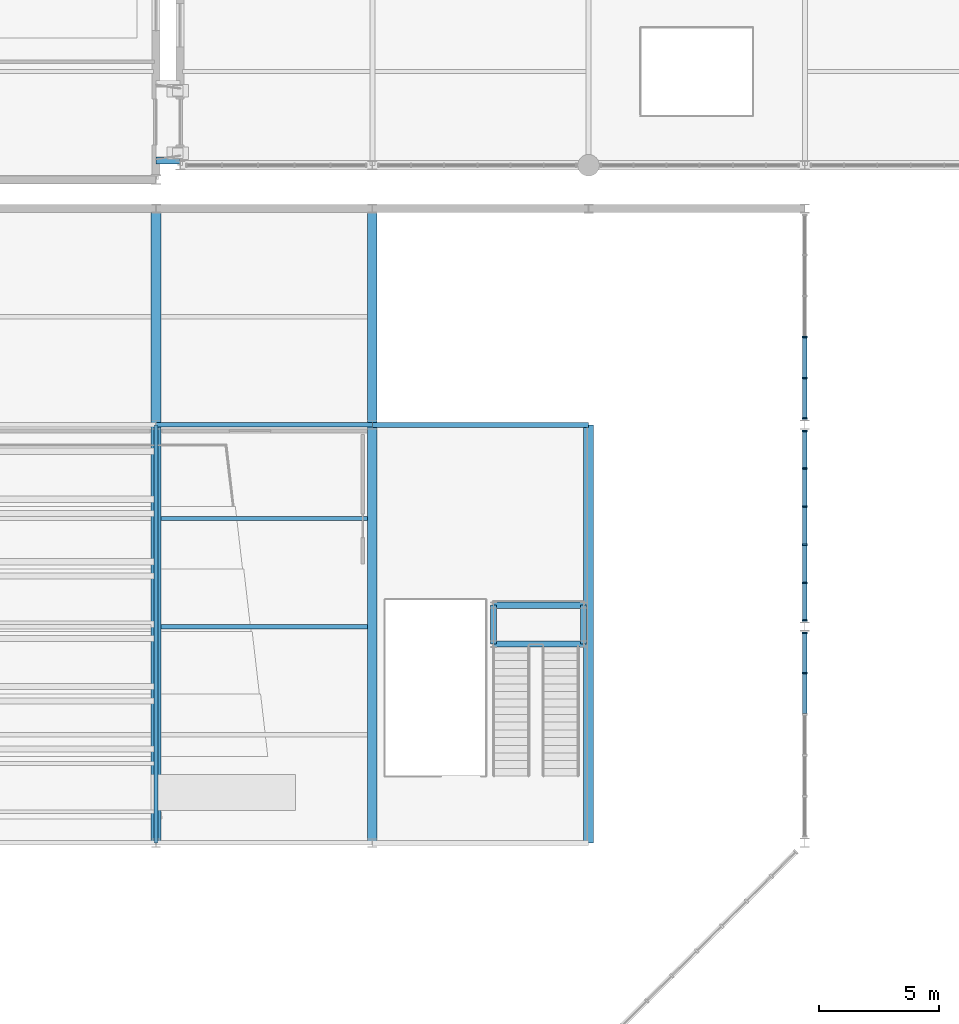
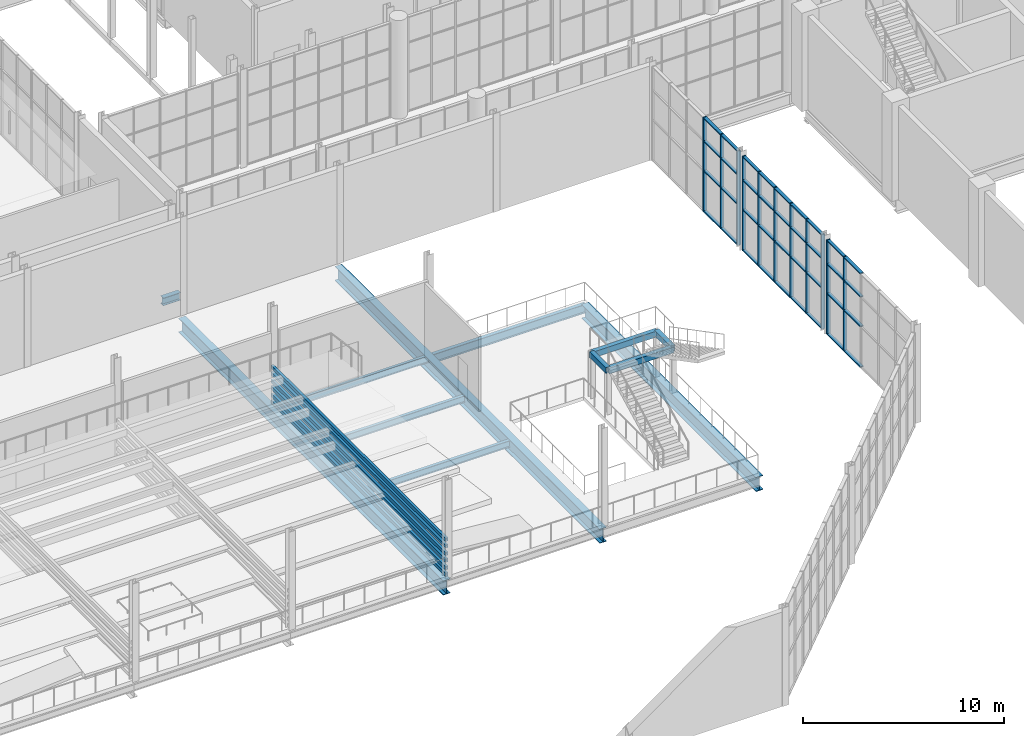
# One storey, part 32 of 159: 47 members, 18 beams, 3 elements without a shape of their own.
"""IFC4 building model written with IfcOpenShell, lengths in metres."""

from ifc_helpers import new_model, si_unit, direction, frame, origin, origin_2d, place, context, subcontext, project, spatial, rectangle, hollow_rectangle, i_section, extrude, material, layer, layer_set, material_profile, profile_set, type_object, element, aggregate, save


model = new_model("IFC4")

# Units and contexts
model_context = context("Model", 3, precision=1e-05, world=origin(), true_north=direction((0.0, 1.0)))
body_context = subcontext(model_context, "Body", "Model", "MODEL_VIEW")
ifc_project = project(units=[si_unit("LENGTHUNIT", "METRE"), si_unit("AREAUNIT", "SQUARE_METRE"), si_unit("VOLUMEUNIT", "CUBIC_METRE"), si_unit("PLANEANGLEUNIT", "RADIAN"), si_unit("MASSUNIT", "GRAM", prefix="KILO")], contexts=[model_context])

# Site, building, storey
site_placement = place(None, origin())
site = spatial("IfcSite", under=ifc_project, at=site_placement, CompositionType="ELEMENT")
building_placement = place(site_placement, origin())
building = spatial("IfcBuilding", under=site, at=building_placement, Name="Cazmaro Siding Exhibition Halls", CompositionType="ELEMENT")
storey_placement = place(building_placement, frame((0.0, 0.0, 6.0)))
storey = spatial("IfcBuildingStorey", under=building, at=storey_placement, Name="L01", CompositionType="ELEMENT", Elevation=6.0)

# Beams
ifc_material_1 = material(Name="Steel ASTM A992 Grade 50", Category="steel")
ifc_material_profile_1 = material_profile(ifc_material_1, i_section(OverallWidth=0.2099609375, OverallDepth=0.535888671875, WebThickness=0.010986328125, FlangeThickness=0.01708984375, at=origin_2d()), Name="W21X68")
ifc_profile_set_1 = profile_set([ifc_material_profile_1], Name="Steel ASTM A992 Grade 50")
beam_type_1 = type_object("IfcBeamType", Name="B-02", PredefinedType="BEAM", material=ifc_profile_set_1)
beam_1_placement = place(storey_placement, frame((45.0, 44.39990234375, -0.488037109375), z_axis=(1.0, 0.0, 0.0), x_axis=(0.0, 1.0, 0.0)))
element("IfcBeam", 1, at=beam_1_placement, inside=storey, type_object=beam_type_1, Name="Beam B-02 BM-1780", PredefinedType="BEAM", context=body_context, shape_type="SweptSolid", body=[
    extrude(i_section(OverallWidth=0.2099609375, OverallDepth=0.535888671875, WebThickness=0.010986328125, FlangeThickness=0.01708984375, at=origin_2d()), origin(), (0.0, 0.0, 1.0), 9.0),
])
ifc_material_2 = material(Name="Steel ASTM A992 Grade 50", Category="steel")
ifc_material_profile_2 = material_profile(ifc_material_2, i_section(OverallWidth=0.279052734375, OverallDepth=0.4619140625, WebThickness=0.010986328125, FlangeThickness=0.01708984375, at=origin_2d()), Name="W18X76")
ifc_profile_set_2 = profile_set([ifc_material_profile_2], Name="Steel ASTM A992 Grade 50")
beam_type_2 = type_object("IfcBeamType", Name="B-03", PredefinedType="BEAM", material=ifc_profile_set_2)
beam_2_placement = place(storey_placement, frame((36.0, 55.39990234375, -0.450927734375), z_axis=(1.0, 0.0, 0.0), x_axis=(0.0, 1.0, 0.0)))
element("IfcBeam", 2, at=beam_2_placement, inside=storey, type_object=beam_type_2, Name="Beam B-03 BM-2530", PredefinedType="BEAM", context=body_context, shape_type="SweptSolid", body=[
    extrude(i_section(OverallWidth=0.279052734375, OverallDepth=0.4619140625, WebThickness=0.010986328125, FlangeThickness=0.01708984375, at=origin_2d()), origin(), (0.0, 0.0, 1.0), 1.0),
])
ifc_material_3 = material(Name="Steel ASTM A500 Grade C", Category="steel")
ifc_material_profile_3 = material_profile(ifc_material_3, hollow_rectangle(XDim=0.25390625, YDim=0.35595703125, WallThickness=0.014892578125, at=origin_2d()), Name="HSS14X10X5/8")
ifc_profile_set_3 = profile_set([ifc_material_profile_3], Name="Steel ASTM A500 Grade C")
beam_type_3 = type_object("IfcBeamType", Name="B-06", PredefinedType="BEAM", material=ifc_profile_set_3)
for number, where, z_axis, x_axis, name in (
    (3, (50.050048828125, 35.27001953125, 2.6220703125), (1.0, 0.0, 0.0), (0.0, 1.0, 0.0), "Beam B-06 BM-2494"),
    (4, (50.050048828125, 36.889892578125, 2.6220703125), (1.0, 0.0, 0.0), (0.0, 1.0, 0.0), "Beam B-06 BM-2495"),
):
    element("IfcBeam", number, at=place(storey_placement, frame(where, z_axis=z_axis, x_axis=x_axis)), inside=storey, type_object=beam_type_3, Name=name, PredefinedType="BEAM", context=body_context, shape_type="SweptSolid", body=[
        extrude(hollow_rectangle(XDim=0.25390625, YDim=0.35595703125, WallThickness=0.014892578125, at=origin_2d()), origin(), (0.0, 0.0, 1.0), 3.739990234375),
    ])
for number, where, z_axis, x_axis, name in (
    (5, (50.050048828125, 35.27001953125, 2.6220703125), (0.0, 1.0, 0.0), (-1.0, 0.0, 0.0), "Beam B-06 BM-2496"),
    (6, (53.7900390625, 35.27001953125, 2.6220703125), (0.0, 1.0, 0.0), (-1.0, 0.0, 0.0), "Beam B-06 BM-2497"),
):
    element("IfcBeam", number, at=place(storey_placement, frame(where, z_axis=z_axis, x_axis=x_axis)), inside=storey, type_object=beam_type_3, Name=name, PredefinedType="BEAM", context=body_context, shape_type="SweptSolid", body=[
        extrude(hollow_rectangle(XDim=0.25390625, YDim=0.35595703125, WallThickness=0.014892578125, at=origin_2d()), origin(), (0.0, 0.0, 1.0), 1.619873046875),
    ])

# Curtain wall, members
ifc_material_4 = material(Name="Anodized Bronze Aluminum and Solar-Control Low-E Glazing", Category="aluminium")
ifc_layer = layer(ifc_material_4, 0.199951171875)
ifc_layer_set = layer_set([ifc_layer], Name="Anodized Bronze Aluminum and Solar-Control Low-E Glazing")
curtain_wall_type = type_object("IfcCurtainWallType", Name="CWS-02", PredefinedType="USERDEFINED", material=ifc_layer_set)
curtain_wall_1_placement = place(storey_placement, origin())
curtain_wall_1 = element("IfcCurtainWall", 7, at=curtain_wall_1_placement, inside=storey, type_object=curtain_wall_type, Name="Glazed Curtain Wall CWS-02 CW-217", ObjectType="GLAZED CURTAIN WALL", PredefinedType="USERDEFINED")
ifc_material_5 = material(Name="Anodized Bronze Extruded Aluminum", Category="aluminium")
ifc_material_profile_4 = material_profile(ifc_material_5, rectangle(XDim=0.199951171875, YDim=0.06494140625, at=origin_2d()), Name="CWM-02")
ifc_profile_set_4 = profile_set([ifc_material_profile_4], Name="Anodized Bronze Extruded Aluminum")
member_type_1 = type_object("IfcMemberType", Name="CWM-02", PredefinedType="MULLION", material=ifc_profile_set_4)
member_1_placement = place(storey_placement, frame((63.0, 34.061279296875, 0.0), z_axis=(0.0, 0.0, 1.0), x_axis=(-1.0, 0.0, 0.0)))
member_1 = element("IfcMember", 8, at=member_1_placement, type_object=member_type_1, Name="CWS-02 mullion 5", PredefinedType="MULLION", context=body_context, shape_type="SweptSolid", body=[
    extrude(rectangle(XDim=0.199951171875, YDim=0.06494140625, at=origin_2d()), origin(), (0.0, 0.0, 1.0), 5.75),
])
member_2_placement = place(storey_placement, frame((63.0, 35.736572265625, 0.0), z_axis=(0.0, 0.0, 1.0), x_axis=(-1.0, 0.0, 0.0)))
member_2 = element("IfcMember", 9, at=member_2_placement, type_object=member_type_1, Name="CWS-02 mullion 6", PredefinedType="MULLION", context=body_context, shape_type="SweptSolid", body=[
    extrude(rectangle(XDim=0.199951171875, YDim=0.06494140625, at=origin_2d()), origin(), (0.0, 0.0, 1.0), 5.75),
])

curtain_wall_2_placement = place(storey_placement, origin())
curtain_wall_2 = element("IfcCurtainWall", 10, at=curtain_wall_2_placement, inside=storey, type_object=curtain_wall_type, Name="Glazed Curtain Wall CWS-02 CW-219", ObjectType="GLAZED CURTAIN WALL", PredefinedType="USERDEFINED")
member_3_placement = place(storey_placement, frame((63.0, 36.263427734375, 0.0), z_axis=(0.0, 0.0, 1.0), x_axis=(-1.0, 0.0, 0.0)))
member_3 = element("IfcMember", 11, at=member_3_placement, type_object=member_type_1, Name="CWS-02 mullion 1", PredefinedType="MULLION", context=body_context, shape_type="SweptSolid", body=[
    extrude(rectangle(XDim=0.199951171875, YDim=0.06494140625, at=origin_2d()), origin(), (0.0, 0.0, 1.0), 5.75),
])
member_4_placement = place(storey_placement, frame((63.0, 37.818603515625, 0.0), z_axis=(0.0, 0.0, 1.0), x_axis=(-1.0, 0.0, 0.0)))
member_4 = element("IfcMember", 12, at=member_4_placement, type_object=member_type_1, Name="CWS-02 mullion 2", PredefinedType="MULLION", context=body_context, shape_type="SweptSolid", body=[
    extrude(rectangle(XDim=0.199951171875, YDim=0.06494140625, at=origin_2d()), origin(), (0.0, 0.0, 1.0), 5.75),
])
member_5_placement = place(storey_placement, frame((63.0, 39.40625, 0.0), z_axis=(0.0, 0.0, 1.0), x_axis=(-1.0, 0.0, 0.0)))
member_5 = element("IfcMember", 13, at=member_5_placement, type_object=member_type_1, Name="CWS-02 mullion 3", PredefinedType="MULLION", context=body_context, shape_type="SweptSolid", body=[
    extrude(rectangle(XDim=0.199951171875, YDim=0.06494140625, at=origin_2d()), origin(), (0.0, 0.0, 1.0), 5.75),
])
member_6_placement = place(storey_placement, frame((63.0, 40.993896484375, 0.0), z_axis=(0.0, 0.0, 1.0), x_axis=(-1.0, 0.0, 0.0)))
member_6 = element("IfcMember", 14, at=member_6_placement, type_object=member_type_1, Name="CWS-02 mullion 4", PredefinedType="MULLION", context=body_context, shape_type="SweptSolid", body=[
    extrude(rectangle(XDim=0.199951171875, YDim=0.06494140625, at=origin_2d()), origin(), (0.0, 0.0, 1.0), 5.75),
])
member_7_placement = place(storey_placement, frame((63.0, 42.581298828125, 0.0), z_axis=(0.0, 0.0, 1.0), x_axis=(-1.0, 0.0, 0.0)))
member_7 = element("IfcMember", 15, at=member_7_placement, type_object=member_type_1, Name="CWS-02 mullion 5", PredefinedType="MULLION", context=body_context, shape_type="SweptSolid", body=[
    extrude(rectangle(XDim=0.199951171875, YDim=0.06494140625, at=origin_2d()), origin(), (0.0, 0.0, 1.0), 5.75),
])
member_8_placement = place(storey_placement, frame((63.0, 44.136474609375, 0.0), z_axis=(0.0, 0.0, 1.0), x_axis=(-1.0, 0.0, 0.0)))
member_8 = element("IfcMember", 16, at=member_8_placement, type_object=member_type_1, Name="CWS-02 mullion 6", PredefinedType="MULLION", context=body_context, shape_type="SweptSolid", body=[
    extrude(rectangle(XDim=0.199951171875, YDim=0.06494140625, at=origin_2d()), origin(), (0.0, 0.0, 1.0), 5.75),
])

curtain_wall_3_placement = place(storey_placement, origin())
curtain_wall_3 = element("IfcCurtainWall", 17, at=curtain_wall_3_placement, inside=storey, type_object=curtain_wall_type, Name="Glazed Curtain Wall CWS-02 CW-221", ObjectType="GLAZED CURTAIN WALL", PredefinedType="USERDEFINED")
member_9_placement = place(storey_placement, frame((63.0, 44.66357421875, 0.0), z_axis=(0.0, 0.0, 1.0), x_axis=(-1.0, 0.0, 0.0)))
member_9 = element("IfcMember", 18, at=member_9_placement, type_object=member_type_1, Name="CWS-02 mullion 1", PredefinedType="MULLION", context=body_context, shape_type="SweptSolid", body=[
    extrude(rectangle(XDim=0.199951171875, YDim=0.06494140625, at=origin_2d()), origin(), (0.0, 0.0, 1.0), 5.75),
])
member_10_placement = place(storey_placement, frame((63.0, 46.338623046875, 0.0), z_axis=(0.0, 0.0, 1.0), x_axis=(-1.0, 0.0, 0.0)))
member_10 = element("IfcMember", 19, at=member_10_placement, type_object=member_type_1, Name="CWS-02 mullion 2", PredefinedType="MULLION", context=body_context, shape_type="SweptSolid", body=[
    extrude(rectangle(XDim=0.199951171875, YDim=0.06494140625, at=origin_2d()), origin(), (0.0, 0.0, 1.0), 5.75),
])
member_11_placement = place(storey_placement, frame((63.0, 48.046142578125, 0.0), z_axis=(0.0, 0.0, 1.0), x_axis=(-1.0, 0.0, 0.0)))
member_11 = element("IfcMember", 20, at=member_11_placement, type_object=member_type_1, Name="CWS-02 mullion 3", PredefinedType="MULLION", context=body_context, shape_type="SweptSolid", body=[
    extrude(rectangle(XDim=0.199951171875, YDim=0.06494140625, at=origin_2d()), origin(), (0.0, 0.0, 1.0), 5.75),
])

# Member
ifc_material_6 = material(Name="Anodized Bronze Extruded Aluminum", Category="aluminium")
ifc_material_profile_5 = material_profile(ifc_material_6, rectangle(XDim=0.179931640625, YDim=0.06494140625, at=origin_2d()), Name="CWT-02")
ifc_profile_set_5 = profile_set([ifc_material_profile_5], Name="Anodized Bronze Extruded Aluminum")
member_type_2 = type_object("IfcMemberType", Name="CWT-02", PredefinedType="MULLION", material=ifc_profile_set_5)
member_12_placement = place(storey_placement, frame((63.0, 32.38623046875, 0.032470703125), z_axis=(0.0, 1.0, 0.0), x_axis=(-1.0, 0.0, 0.0)))
member_12 = element("IfcMember", 21, at=member_12_placement, type_object=member_type_2, Name="CWS-02 transom 4.1", ObjectType="TRANSOM", PredefinedType="USERDEFINED", context=body_context, shape_type="SweptSolid", body=[
    extrude(rectangle(XDim=0.179931640625, YDim=0.06494140625, at=origin_2d()), origin(), (0.0, 0.0, 1.0), 1.642578125),
])

member_13_placement = place(storey_placement, frame((63.0, 32.38623046875, 2.5), z_axis=(0.0, 1.0, 0.0), x_axis=(-1.0, 0.0, 0.0)))
member_13 = element("IfcMember", 22, at=member_13_placement, type_object=member_type_2, Name="CWS-02 transom 4.2", ObjectType="TRANSOM", PredefinedType="USERDEFINED", context=body_context, shape_type="SweptSolid", body=[
    extrude(rectangle(XDim=0.179931640625, YDim=0.06494140625, at=origin_2d()), origin(), (0.0, 0.0, 1.0), 1.642578125),
])

member_14_placement = place(storey_placement, frame((63.0, 32.38623046875, 4.300048828125), z_axis=(0.0, 1.0, 0.0), x_axis=(-1.0, 0.0, 0.0)))
member_14 = element("IfcMember", 23, at=member_14_placement, type_object=member_type_2, Name="CWS-02 transom 4.3", ObjectType="TRANSOM", PredefinedType="USERDEFINED", context=body_context, shape_type="SweptSolid", body=[
    extrude(rectangle(XDim=0.179931640625, YDim=0.06494140625, at=origin_2d()), origin(), (0.0, 0.0, 1.0), 1.642578125),
])

member_15_placement = place(storey_placement, frame((63.0, 32.38623046875, 5.717529296875), z_axis=(0.0, 1.0, 0.0), x_axis=(-1.0, 0.0, 0.0)))
member_15 = element("IfcMember", 24, at=member_15_placement, type_object=member_type_2, Name="CWS-02 transom 4.4", ObjectType="TRANSOM", PredefinedType="USERDEFINED", context=body_context, shape_type="SweptSolid", body=[
    extrude(rectangle(XDim=0.179931640625, YDim=0.06494140625, at=origin_2d()), origin(), (0.0, 0.0, 1.0), 1.642578125),
])

member_16_placement = place(storey_placement, frame((63.0, 34.093994140625, 0.032470703125), z_axis=(0.0, 1.0, 0.0), x_axis=(-1.0, 0.0, 0.0)))
member_16 = element("IfcMember", 25, at=member_16_placement, type_object=member_type_2, Name="CWS-02 transom 5.1", ObjectType="TRANSOM", PredefinedType="USERDEFINED", context=body_context, shape_type="SweptSolid", body=[
    extrude(rectangle(XDim=0.179931640625, YDim=0.06494140625, at=origin_2d()), origin(), (0.0, 0.0, 1.0), 1.610107421875),
])

member_17_placement = place(storey_placement, frame((63.0, 34.093994140625, 2.5), z_axis=(0.0, 1.0, 0.0), x_axis=(-1.0, 0.0, 0.0)))
member_17 = element("IfcMember", 26, at=member_17_placement, type_object=member_type_2, Name="CWS-02 transom 5.2", ObjectType="TRANSOM", PredefinedType="USERDEFINED", context=body_context, shape_type="SweptSolid", body=[
    extrude(rectangle(XDim=0.179931640625, YDim=0.06494140625, at=origin_2d()), origin(), (0.0, 0.0, 1.0), 1.610107421875),
])

member_18_placement = place(storey_placement, frame((63.0, 34.093994140625, 4.300048828125), z_axis=(0.0, 1.0, 0.0), x_axis=(-1.0, 0.0, 0.0)))
member_18 = element("IfcMember", 27, at=member_18_placement, type_object=member_type_2, Name="CWS-02 transom 5.3", ObjectType="TRANSOM", PredefinedType="USERDEFINED", context=body_context, shape_type="SweptSolid", body=[
    extrude(rectangle(XDim=0.179931640625, YDim=0.06494140625, at=origin_2d()), origin(), (0.0, 0.0, 1.0), 1.610107421875),
])

member_19_placement = place(storey_placement, frame((63.0, 34.093994140625, 5.717529296875), z_axis=(0.0, 1.0, 0.0), x_axis=(-1.0, 0.0, 0.0)))
member_19 = element("IfcMember", 28, at=member_19_placement, type_object=member_type_2, Name="CWS-02 transom 5.4", ObjectType="TRANSOM", PredefinedType="USERDEFINED", context=body_context, shape_type="SweptSolid", body=[
    extrude(rectangle(XDim=0.179931640625, YDim=0.06494140625, at=origin_2d()), origin(), (0.0, 0.0, 1.0), 1.610107421875),
])

aggregate(curtain_wall_1, [member_1, member_2, member_12, member_13, member_14, member_15, member_16, member_17, member_18, member_19])

member_20_placement = place(storey_placement, frame((63.0, 36.2958984375, 0.032470703125), z_axis=(0.0, 1.0, 0.0), x_axis=(-1.0, 0.0, 0.0)))
member_20 = element("IfcMember", 29, at=member_20_placement, type_object=member_type_2, Name="CWS-02 transom 1.1", ObjectType="TRANSOM", PredefinedType="USERDEFINED", context=body_context, shape_type="SweptSolid", body=[
    extrude(rectangle(XDim=0.179931640625, YDim=0.06494140625, at=origin_2d()), origin(), (0.0, 0.0, 1.0), 1.490234375),
])

member_21_placement = place(storey_placement, frame((63.0, 36.2958984375, 2.5), z_axis=(0.0, 1.0, 0.0), x_axis=(-1.0, 0.0, 0.0)))
member_21 = element("IfcMember", 30, at=member_21_placement, type_object=member_type_2, Name="CWS-02 transom 1.2", ObjectType="TRANSOM", PredefinedType="USERDEFINED", context=body_context, shape_type="SweptSolid", body=[
    extrude(rectangle(XDim=0.179931640625, YDim=0.06494140625, at=origin_2d()), origin(), (0.0, 0.0, 1.0), 1.490234375),
])

member_22_placement = place(storey_placement, frame((63.0, 36.2958984375, 4.300048828125), z_axis=(0.0, 1.0, 0.0), x_axis=(-1.0, 0.0, 0.0)))
member_22 = element("IfcMember", 31, at=member_22_placement, type_object=member_type_2, Name="CWS-02 transom 1.3", ObjectType="TRANSOM", PredefinedType="USERDEFINED", context=body_context, shape_type="SweptSolid", body=[
    extrude(rectangle(XDim=0.179931640625, YDim=0.06494140625, at=origin_2d()), origin(), (0.0, 0.0, 1.0), 1.490234375),
])

member_23_placement = place(storey_placement, frame((63.0, 36.2958984375, 5.717529296875), z_axis=(0.0, 1.0, 0.0), x_axis=(-1.0, 0.0, 0.0)))
member_23 = element("IfcMember", 32, at=member_23_placement, type_object=member_type_2, Name="CWS-02 transom 1.4", ObjectType="TRANSOM", PredefinedType="USERDEFINED", context=body_context, shape_type="SweptSolid", body=[
    extrude(rectangle(XDim=0.179931640625, YDim=0.06494140625, at=origin_2d()), origin(), (0.0, 0.0, 1.0), 1.490234375),
])

member_24_placement = place(storey_placement, frame((63.0, 37.85107421875, 0.032470703125), z_axis=(0.0, 1.0, 0.0), x_axis=(-1.0, 0.0, 0.0)))
member_24 = element("IfcMember", 33, at=member_24_placement, type_object=member_type_2, Name="CWS-02 transom 2.1", ObjectType="TRANSOM", PredefinedType="USERDEFINED", context=body_context, shape_type="SweptSolid", body=[
    extrude(rectangle(XDim=0.179931640625, YDim=0.06494140625, at=origin_2d()), origin(), (0.0, 0.0, 1.0), 1.522705078125),
])

member_25_placement = place(storey_placement, frame((63.0, 37.85107421875, 2.5), z_axis=(0.0, 1.0, 0.0), x_axis=(-1.0, 0.0, 0.0)))
member_25 = element("IfcMember", 34, at=member_25_placement, type_object=member_type_2, Name="CWS-02 transom 2.2", ObjectType="TRANSOM", PredefinedType="USERDEFINED", context=body_context, shape_type="SweptSolid", body=[
    extrude(rectangle(XDim=0.179931640625, YDim=0.06494140625, at=origin_2d()), origin(), (0.0, 0.0, 1.0), 1.522705078125),
])

member_26_placement = place(storey_placement, frame((63.0, 37.85107421875, 4.300048828125), z_axis=(0.0, 1.0, 0.0), x_axis=(-1.0, 0.0, 0.0)))
member_26 = element("IfcMember", 35, at=member_26_placement, type_object=member_type_2, Name="CWS-02 transom 2.3", ObjectType="TRANSOM", PredefinedType="USERDEFINED", context=body_context, shape_type="SweptSolid", body=[
    extrude(rectangle(XDim=0.179931640625, YDim=0.06494140625, at=origin_2d()), origin(), (0.0, 0.0, 1.0), 1.522705078125),
])

member_27_placement = place(storey_placement, frame((63.0, 37.85107421875, 5.717529296875), z_axis=(0.0, 1.0, 0.0), x_axis=(-1.0, 0.0, 0.0)))
member_27 = element("IfcMember", 36, at=member_27_placement, type_object=member_type_2, Name="CWS-02 transom 2.4", ObjectType="TRANSOM", PredefinedType="USERDEFINED", context=body_context, shape_type="SweptSolid", body=[
    extrude(rectangle(XDim=0.179931640625, YDim=0.06494140625, at=origin_2d()), origin(), (0.0, 0.0, 1.0), 1.522705078125),
])

member_28_placement = place(storey_placement, frame((63.0, 39.438720703125, 0.032470703125), z_axis=(0.0, 1.0, 0.0), x_axis=(-1.0, 0.0, 0.0)))
member_28 = element("IfcMember", 37, at=member_28_placement, type_object=member_type_2, Name="CWS-02 transom 3.1", ObjectType="TRANSOM", PredefinedType="USERDEFINED", context=body_context, shape_type="SweptSolid", body=[
    extrude(rectangle(XDim=0.179931640625, YDim=0.06494140625, at=origin_2d()), origin(), (0.0, 0.0, 1.0), 1.5224609375),
])

member_29_placement = place(storey_placement, frame((63.0, 39.438720703125, 2.5), z_axis=(0.0, 1.0, 0.0), x_axis=(-1.0, 0.0, 0.0)))
member_29 = element("IfcMember", 38, at=member_29_placement, type_object=member_type_2, Name="CWS-02 transom 3.2", ObjectType="TRANSOM", PredefinedType="USERDEFINED", context=body_context, shape_type="SweptSolid", body=[
    extrude(rectangle(XDim=0.179931640625, YDim=0.06494140625, at=origin_2d()), origin(), (0.0, 0.0, 1.0), 1.5224609375),
])

member_30_placement = place(storey_placement, frame((63.0, 39.438720703125, 4.300048828125), z_axis=(0.0, 1.0, 0.0), x_axis=(-1.0, 0.0, 0.0)))
member_30 = element("IfcMember", 39, at=member_30_placement, type_object=member_type_2, Name="CWS-02 transom 3.3", ObjectType="TRANSOM", PredefinedType="USERDEFINED", context=body_context, shape_type="SweptSolid", body=[
    extrude(rectangle(XDim=0.179931640625, YDim=0.06494140625, at=origin_2d()), origin(), (0.0, 0.0, 1.0), 1.5224609375),
])

member_31_placement = place(storey_placement, frame((63.0, 39.438720703125, 5.717529296875), z_axis=(0.0, 1.0, 0.0), x_axis=(-1.0, 0.0, 0.0)))
member_31 = element("IfcMember", 40, at=member_31_placement, type_object=member_type_2, Name="CWS-02 transom 3.4", ObjectType="TRANSOM", PredefinedType="USERDEFINED", context=body_context, shape_type="SweptSolid", body=[
    extrude(rectangle(XDim=0.179931640625, YDim=0.06494140625, at=origin_2d()), origin(), (0.0, 0.0, 1.0), 1.5224609375),
])

member_32_placement = place(storey_placement, frame((63.0, 41.0263671875, 0.032470703125), z_axis=(0.0, 1.0, 0.0), x_axis=(-1.0, 0.0, 0.0)))
member_32 = element("IfcMember", 41, at=member_32_placement, type_object=member_type_2, Name="CWS-02 transom 4.1", ObjectType="TRANSOM", PredefinedType="USERDEFINED", context=body_context, shape_type="SweptSolid", body=[
    extrude(rectangle(XDim=0.179931640625, YDim=0.06494140625, at=origin_2d()), origin(), (0.0, 0.0, 1.0), 1.5224609375),
])

member_33_placement = place(storey_placement, frame((63.0, 41.0263671875, 2.5), z_axis=(0.0, 1.0, 0.0), x_axis=(-1.0, 0.0, 0.0)))
member_33 = element("IfcMember", 42, at=member_33_placement, type_object=member_type_2, Name="CWS-02 transom 4.2", ObjectType="TRANSOM", PredefinedType="USERDEFINED", context=body_context, shape_type="SweptSolid", body=[
    extrude(rectangle(XDim=0.179931640625, YDim=0.06494140625, at=origin_2d()), origin(), (0.0, 0.0, 1.0), 1.5224609375),
])

member_34_placement = place(storey_placement, frame((63.0, 41.0263671875, 4.300048828125), z_axis=(0.0, 1.0, 0.0), x_axis=(-1.0, 0.0, 0.0)))
member_34 = element("IfcMember", 43, at=member_34_placement, type_object=member_type_2, Name="CWS-02 transom 4.3", ObjectType="TRANSOM", PredefinedType="USERDEFINED", context=body_context, shape_type="SweptSolid", body=[
    extrude(rectangle(XDim=0.179931640625, YDim=0.06494140625, at=origin_2d()), origin(), (0.0, 0.0, 1.0), 1.5224609375),
])

member_35_placement = place(storey_placement, frame((63.0, 41.0263671875, 5.717529296875), z_axis=(0.0, 1.0, 0.0), x_axis=(-1.0, 0.0, 0.0)))
member_35 = element("IfcMember", 44, at=member_35_placement, type_object=member_type_2, Name="CWS-02 transom 4.4", ObjectType="TRANSOM", PredefinedType="USERDEFINED", context=body_context, shape_type="SweptSolid", body=[
    extrude(rectangle(XDim=0.179931640625, YDim=0.06494140625, at=origin_2d()), origin(), (0.0, 0.0, 1.0), 1.5224609375),
])

member_36_placement = place(storey_placement, frame((63.0, 42.614013671875, 0.032470703125), z_axis=(0.0, 1.0, 0.0), x_axis=(-1.0, 0.0, 0.0)))
member_36 = element("IfcMember", 45, at=member_36_placement, type_object=member_type_2, Name="CWS-02 transom 5.1", ObjectType="TRANSOM", PredefinedType="USERDEFINED", context=body_context, shape_type="SweptSolid", body=[
    extrude(rectangle(XDim=0.179931640625, YDim=0.06494140625, at=origin_2d()), origin(), (0.0, 0.0, 1.0), 1.489990234375),
])

member_37_placement = place(storey_placement, frame((63.0, 42.614013671875, 2.5), z_axis=(0.0, 1.0, 0.0), x_axis=(-1.0, 0.0, 0.0)))
member_37 = element("IfcMember", 46, at=member_37_placement, type_object=member_type_2, Name="CWS-02 transom 5.2", ObjectType="TRANSOM", PredefinedType="USERDEFINED", context=body_context, shape_type="SweptSolid", body=[
    extrude(rectangle(XDim=0.179931640625, YDim=0.06494140625, at=origin_2d()), origin(), (0.0, 0.0, 1.0), 1.489990234375),
])

member_38_placement = place(storey_placement, frame((63.0, 42.614013671875, 4.300048828125), z_axis=(0.0, 1.0, 0.0), x_axis=(-1.0, 0.0, 0.0)))
member_38 = element("IfcMember", 47, at=member_38_placement, type_object=member_type_2, Name="CWS-02 transom 5.3", ObjectType="TRANSOM", PredefinedType="USERDEFINED", context=body_context, shape_type="SweptSolid", body=[
    extrude(rectangle(XDim=0.179931640625, YDim=0.06494140625, at=origin_2d()), origin(), (0.0, 0.0, 1.0), 1.489990234375),
])

member_39_placement = place(storey_placement, frame((63.0, 42.614013671875, 5.717529296875), z_axis=(0.0, 1.0, 0.0), x_axis=(-1.0, 0.0, 0.0)))
member_39 = element("IfcMember", 48, at=member_39_placement, type_object=member_type_2, Name="CWS-02 transom 5.4", ObjectType="TRANSOM", PredefinedType="USERDEFINED", context=body_context, shape_type="SweptSolid", body=[
    extrude(rectangle(XDim=0.179931640625, YDim=0.06494140625, at=origin_2d()), origin(), (0.0, 0.0, 1.0), 1.489990234375),
])

aggregate(curtain_wall_2, [member_3, member_4, member_5, member_6, member_7, member_8, member_20, member_21, member_22, member_23, member_24, member_25, member_26, member_27, member_28, member_29, member_30, member_31, member_32, member_33, member_34, member_35, member_36, member_37, member_38, member_39])

member_40_placement = place(storey_placement, frame((63.0, 44.696044921875, 0.032470703125), z_axis=(0.0, 1.0, 0.0), x_axis=(-1.0, 0.0, 0.0)))
member_40 = element("IfcMember", 49, at=member_40_placement, type_object=member_type_2, Name="CWS-02 transom 1.1", ObjectType="TRANSOM", PredefinedType="USERDEFINED", context=body_context, shape_type="SweptSolid", body=[
    extrude(rectangle(XDim=0.179931640625, YDim=0.06494140625, at=origin_2d()), origin(), (0.0, 0.0, 1.0), 1.610107421875),
])

member_41_placement = place(storey_placement, frame((63.0, 44.696044921875, 2.5), z_axis=(0.0, 1.0, 0.0), x_axis=(-1.0, 0.0, 0.0)))
member_41 = element("IfcMember", 50, at=member_41_placement, type_object=member_type_2, Name="CWS-02 transom 1.2", ObjectType="TRANSOM", PredefinedType="USERDEFINED", context=body_context, shape_type="SweptSolid", body=[
    extrude(rectangle(XDim=0.179931640625, YDim=0.06494140625, at=origin_2d()), origin(), (0.0, 0.0, 1.0), 1.610107421875),
])

member_42_placement = place(storey_placement, frame((63.0, 44.696044921875, 4.300048828125), z_axis=(0.0, 1.0, 0.0), x_axis=(-1.0, 0.0, 0.0)))
member_42 = element("IfcMember", 51, at=member_42_placement, type_object=member_type_2, Name="CWS-02 transom 1.3", ObjectType="TRANSOM", PredefinedType="USERDEFINED", context=body_context, shape_type="SweptSolid", body=[
    extrude(rectangle(XDim=0.179931640625, YDim=0.06494140625, at=origin_2d()), origin(), (0.0, 0.0, 1.0), 1.610107421875),
])

member_43_placement = place(storey_placement, frame((63.0, 44.696044921875, 5.717529296875), z_axis=(0.0, 1.0, 0.0), x_axis=(-1.0, 0.0, 0.0)))
member_43 = element("IfcMember", 52, at=member_43_placement, type_object=member_type_2, Name="CWS-02 transom 1.4", ObjectType="TRANSOM", PredefinedType="USERDEFINED", context=body_context, shape_type="SweptSolid", body=[
    extrude(rectangle(XDim=0.179931640625, YDim=0.06494140625, at=origin_2d()), origin(), (0.0, 0.0, 1.0), 1.610107421875),
])

member_44_placement = place(storey_placement, frame((63.0, 46.37109375, 0.032470703125), z_axis=(0.0, 1.0, 0.0), x_axis=(-1.0, 0.0, 0.0)))
member_44 = element("IfcMember", 53, at=member_44_placement, type_object=member_type_2, Name="CWS-02 transom 2.1", ObjectType="TRANSOM", PredefinedType="USERDEFINED", context=body_context, shape_type="SweptSolid", body=[
    extrude(rectangle(XDim=0.179931640625, YDim=0.06494140625, at=origin_2d()), origin(), (0.0, 0.0, 1.0), 1.642578125),
])

member_45_placement = place(storey_placement, frame((63.0, 46.37109375, 2.5), z_axis=(0.0, 1.0, 0.0), x_axis=(-1.0, 0.0, 0.0)))
member_45 = element("IfcMember", 54, at=member_45_placement, type_object=member_type_2, Name="CWS-02 transom 2.2", ObjectType="TRANSOM", PredefinedType="USERDEFINED", context=body_context, shape_type="SweptSolid", body=[
    extrude(rectangle(XDim=0.179931640625, YDim=0.06494140625, at=origin_2d()), origin(), (0.0, 0.0, 1.0), 1.642578125),
])

member_46_placement = place(storey_placement, frame((63.0, 46.37109375, 4.300048828125), z_axis=(0.0, 1.0, 0.0), x_axis=(-1.0, 0.0, 0.0)))
member_46 = element("IfcMember", 55, at=member_46_placement, type_object=member_type_2, Name="CWS-02 transom 2.3", ObjectType="TRANSOM", PredefinedType="USERDEFINED", context=body_context, shape_type="SweptSolid", body=[
    extrude(rectangle(XDim=0.179931640625, YDim=0.06494140625, at=origin_2d()), origin(), (0.0, 0.0, 1.0), 1.642578125),
])

member_47_placement = place(storey_placement, frame((63.0, 46.37109375, 5.717529296875), z_axis=(0.0, 1.0, 0.0), x_axis=(-1.0, 0.0, 0.0)))
member_47 = element("IfcMember", 56, at=member_47_placement, type_object=member_type_2, Name="CWS-02 transom 2.4", ObjectType="TRANSOM", PredefinedType="USERDEFINED", context=body_context, shape_type="SweptSolid", body=[
    extrude(rectangle(XDim=0.179931640625, YDim=0.06494140625, at=origin_2d()), origin(), (0.0, 0.0, 1.0), 1.642578125),
])

aggregate(curtain_wall_3, [member_9, member_10, member_11, member_40, member_41, member_42, member_43, member_44, member_45, member_46, member_47])

# Beams
ifc_material_7 = material(Name="Steel ASTM A992 Grade 50", Category="steel")
ifc_material_profile_6 = material_profile(ifc_material_7, i_section(OverallWidth=0.404052734375, OverallDepth=0.868896484375, WebThickness=0.02099609375, FlangeThickness=0.035888671875, at=origin_2d()), Name="W33X241")
ifc_profile_set_6 = profile_set([ifc_material_profile_6], Name="Steel ASTM A992 Grade 50")
beam_type_4 = type_object("IfcBeamType", Name="G-03", PredefinedType="USERDEFINED", material=ifc_profile_set_6)
for number, where, z_axis, x_axis, name in (
    (57, (36.0, 27.0, -0.654052734375), (0.0, 1.0, 0.0), (-1.0, 0.0, 0.0), "Beam G-03 BM-1776"),
    (58, (45.0, 27.0, -0.654052734375), (0.0, 1.0, 0.0), (-1.0, 0.0, 0.0), "Beam G-03 BM-1777"),
):
    element("IfcBeam", number, at=place(storey_placement, frame(where, z_axis=z_axis, x_axis=x_axis)), inside=storey, type_object=beam_type_4, Name=name, ObjectType="GIRDER", PredefinedType="USERDEFINED", context=body_context, shape_type="SweptSolid", body=[
        extrude(i_section(OverallWidth=0.404052734375, OverallDepth=0.868896484375, WebThickness=0.02099609375, FlangeThickness=0.035888671875, at=origin_2d()), origin(), (0.0, 0.0, 1.0), 26.39990234375),
    ])
beam_3_placement = place(storey_placement, frame((54.0, 27.0, -0.654052734375), z_axis=(0.0, 1.0, 0.0), x_axis=(-1.0, 0.0, 0.0)))
element("IfcBeam", 59, at=beam_3_placement, inside=storey, type_object=beam_type_4, Name="Beam G-03 BM-1778", ObjectType="GIRDER", PredefinedType="USERDEFINED", context=body_context, shape_type="SweptSolid", body=[
    extrude(i_section(OverallWidth=0.404052734375, OverallDepth=0.868896484375, WebThickness=0.02099609375, FlangeThickness=0.035888671875, at=origin_2d()), origin(), (0.0, 0.0, 1.0), 17.39990234375),
])
ifc_material_8 = material(Name="Steel ASTM A992 Grade 50", Category="steel")
ifc_material_profile_7 = material_profile(ifc_material_8, i_section(OverallWidth=0.177978515625, OverallDepth=0.406005859375, WebThickness=0.008056640625, FlangeThickness=0.012939453125, at=origin_2d()), Name="W16X40")
ifc_profile_set_7 = profile_set([ifc_material_profile_7], Name="Steel ASTM A992 Grade 50")
beam_type_5 = type_object("IfcBeamType", Name="J-02", PredefinedType="JOIST", material=ifc_profile_set_7)
for number, where, z_axis, x_axis, name in (
    (60, (36.201904296875, 36.0, -0.423095703125), (1.0, 0.0, 0.0), (0.0, 1.0, 0.0), "Beam J-02 BM-1795"),
    (61, (36.201904296875, 40.5, -0.423095703125), (1.0, 0.0, 0.0), (0.0, 1.0, 0.0), "Beam J-02 BM-1800"),
):
    element("IfcBeam", number, at=place(storey_placement, frame(where, z_axis=z_axis, x_axis=x_axis)), inside=storey, type_object=beam_type_5, Name=name, PredefinedType="JOIST", context=body_context, shape_type="SweptSolid", body=[
        extrude(i_section(OverallWidth=0.177978515625, OverallDepth=0.406005859375, WebThickness=0.008056640625, FlangeThickness=0.012939453125, at=origin_2d()), origin(), (0.0, 0.0, 1.0), 8.59619140625),
    ])
beam_4_placement = place(storey_placement, frame((36.0, 44.39990234375, -0.423095703125), z_axis=(1.0, 0.0, 0.0), x_axis=(0.0, 1.0, 0.0)))
element("IfcBeam", 62, at=beam_4_placement, inside=storey, type_object=beam_type_5, Name="Beam J-02 BM-1805", PredefinedType="JOIST", context=body_context, shape_type="SweptSolid", body=[
    extrude(i_section(OverallWidth=0.177978515625, OverallDepth=0.406005859375, WebThickness=0.008056640625, FlangeThickness=0.012939453125, at=origin_2d()), origin(), (0.0, 0.0, 1.0), 9.0),
])
ifc_material_9 = material(Name="Steel ASTM A500 Grade C", Category="steel")
ifc_material_profile_8 = material_profile(ifc_material_9, hollow_rectangle(XDim=0.152099609375, YDim=0.202880859375, WallThickness=0.011962890625, at=origin_2d()), Name="HSS8X6X1/2")
ifc_profile_set_8 = profile_set([ifc_material_profile_8], Name="Steel ASTM A500 Grade C")
beam_type_6 = type_object("IfcBeamType", Name="LN-01", PredefinedType="LINTEL", material=ifc_profile_set_8)
for number, where, z_axis, x_axis, name in (
    (63, (36.0, 27.0, 0.10888671875), (0.0, 1.0, 0.0), (-1.0, 0.0, 0.0), "Beam LN-01 BM-1879"),
    (64, (36.0, 27.0, 0.509033203125), (0.0, 1.0, 0.0), (-1.0, 0.0, 0.0), "Beam LN-01 BM-1886"),
    (65, (36.0, 27.0, 0.968994140625), (0.0, 1.0, 0.0), (-1.0, 0.0, 0.0), "Beam LN-01 BM-1893"),
    (66, (36.0, 27.0, 1.368896484375), (0.0, 1.0, 0.0), (-1.0, 0.0, 0.0), "Beam LN-01 BM-1900"),
    (67, (36.0, 27.0, 1.8291015625), (0.0, 1.0, 0.0), (-1.0, 0.0, 0.0), "Beam LN-01 BM-1907"),
    (68, (36.0, 27.0, 2.22900390625), (0.0, 1.0, 0.0), (-1.0, 0.0, 0.0), "Beam LN-01 BM-1914"),
):
    element("IfcBeam", number, at=place(storey_placement, frame(where, z_axis=z_axis, x_axis=x_axis)), inside=storey, type_object=beam_type_6, Name=name, PredefinedType="LINTEL", context=body_context, shape_type="SweptSolid", body=[
        extrude(hollow_rectangle(XDim=0.152099609375, YDim=0.202880859375, WallThickness=0.011962890625, at=origin_2d()), origin(), (0.0, 0.0, 1.0), 17.39990234375),
    ])

save(model, "model.ifc")
